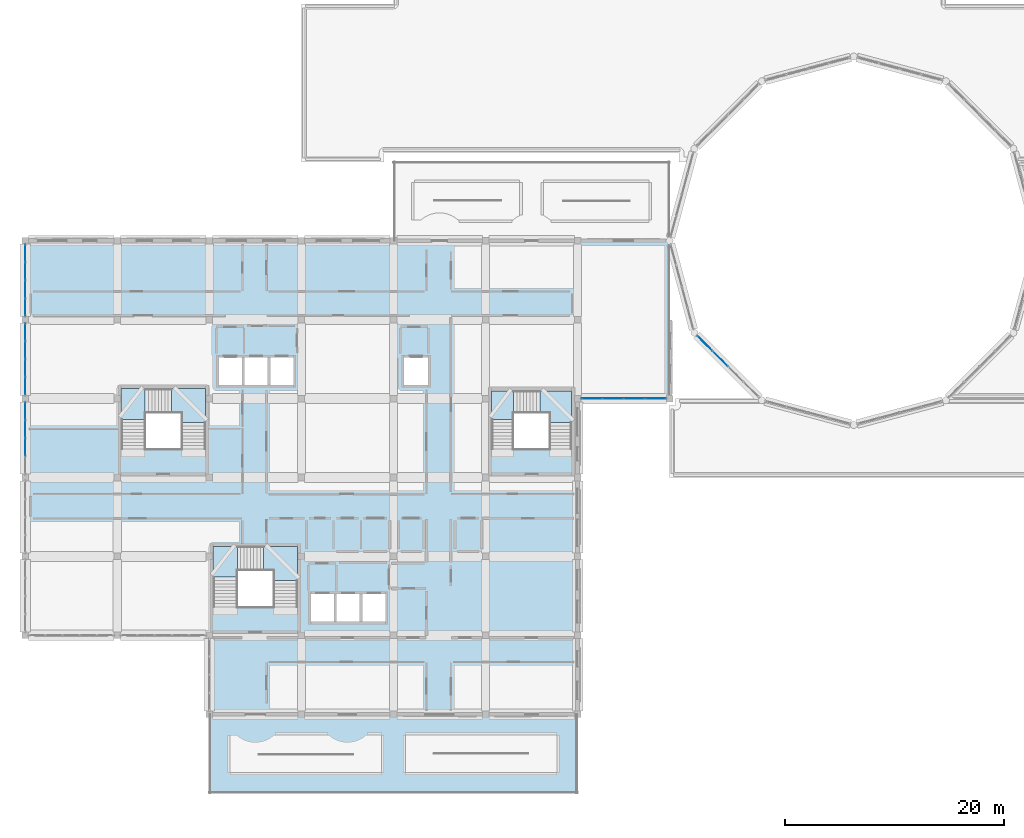
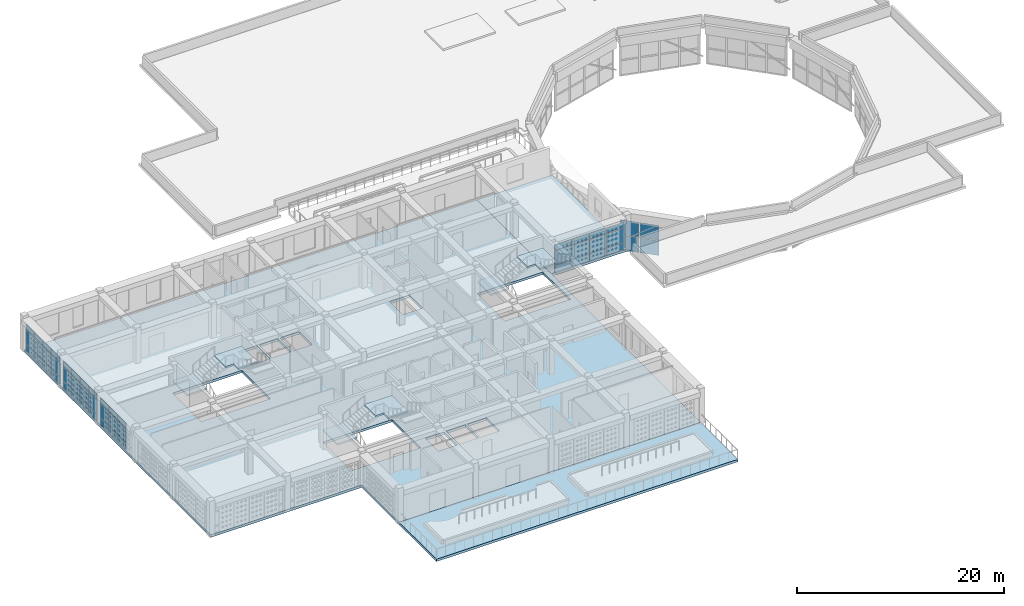
# One storey, part 25 of 48: 49 plates, 9 slabs, 8 elements without a shape of their own.
"""IFC4 building model written with IfcOpenShell, lengths in metres."""

from ifc_helpers import new_model, si_unit, derived_unit, direction, frame, origin, origin_2d, place, context, subcontext, project, spatial, polyline, rectangle, outline, extrude, material, layer, layer_set, type_object, element, aggregate, save


model = new_model("IFC4")

# Units and contexts
model_context = context("Model", 3, precision=1e-05, world=origin(), true_north=direction((0.0, 1.0)))
body_context = subcontext(model_context, "Body", "Model", "MODEL_VIEW")
ifc_project = project(units=[si_unit("LENGTHUNIT", "METRE"), si_unit("AREAUNIT", "SQUARE_METRE"), si_unit("VOLUMEUNIT", "CUBIC_METRE"), si_unit("PLANEANGLEUNIT", "RADIAN"), si_unit("MASSUNIT", "GRAM", prefix="KILO"), derived_unit("THERMALTRANSMITTANCEUNIT", [(si_unit("POWERUNIT", "WATT"), 1), (si_unit("LENGTHUNIT", "METRE"), -2), (si_unit("THERMODYNAMICTEMPERATUREUNIT", "KELVIN"), -1)])], contexts=[model_context])

# Site, building, storey
site_placement = place(None, origin())
site = spatial("IfcSite", under=ifc_project, at=site_placement, CompositionType="ELEMENT")
building_placement = place(site_placement, origin())
building = spatial("IfcBuilding", under=site, at=building_placement, Name="Veybourne Emporium", CompositionType="ELEMENT")
storey_placement = place(building_placement, frame((0.0, 0.0, 27.89990234375)))
storey = spatial("IfcBuildingStorey", under=building, at=storey_placement, Name="L06", CompositionType="ELEMENT", Elevation=27.89990234375)

# Curtain wall, plates
ifc_material_1 = material(Name="Patinated Architectural Bronze", Category="bronze")
curtain_wall_type_1 = type_object("IfcCurtainWallType", Name="CWSystem_CWS-12", PredefinedType="NOTDEFINED", material=ifc_material_1)
curtain_wall_1_placement = place(storey_placement, origin())
curtain_wall_1 = element("IfcCurtainWall", 1, at=curtain_wall_1_placement, inside=storey, type_object=curtain_wall_type_1, Name="L06 bronze glazed curtain wall CWS-12 (004)", PredefinedType="NOTDEFINED")
ifc_material_2 = material(Name="Low-E Triple Glazing", Category="glass")
ifc_layer_1 = layer(ifc_material_2, 0.028076171875)
ifc_layer_set_1 = layer_set([ifc_layer_1], Name="Low-E Triple Glazing")
plate_type = type_object("IfcPlateType", Name="CWPanel_CW-P1", PredefinedType="CURTAIN_PANEL", material=ifc_layer_set_1)
plate_1_placement = place(storey_placement, frame((0.0, 31.574951171875, 0.070068359375), z_axis=(0.0, 0.0, 1.0), x_axis=(0.0, 1.0, 0.0)))
plate_1 = element("IfcPlate", 2, at=plate_1_placement, type_object=plate_type, Name="CWS-12 panel 2.1", PredefinedType="CURTAIN_PANEL", context=body_context, shape_type="SweptSolid", body=[
    extrude(rectangle(XDim=1.580078125, YDim=0.028076171875, at=origin_2d()), origin(), (0.0, 0.0, 1.0), 0.794921875),
])
plate_2_placement = place(storey_placement, frame((0.0, 31.574951171875, 0.93505859375), z_axis=(0.0, 0.0, 1.0), x_axis=(0.0, 1.0, 0.0)))
plate_2 = element("IfcPlate", 3, at=plate_2_placement, type_object=plate_type, Name="CWS-12 panel 2.2", PredefinedType="CURTAIN_PANEL", context=body_context, shape_type="SweptSolid", body=[
    extrude(rectangle(XDim=1.580078125, YDim=0.028076171875, at=origin_2d()), origin(), (0.0, 0.0, 1.0), 1.639892578125),
])
plate_3_placement = place(storey_placement, frame((0.0, 31.574951171875, 2.64501953125), z_axis=(0.0, 0.0, 1.0), x_axis=(0.0, 1.0, 0.0)))
plate_3 = element("IfcPlate", 4, at=plate_3_placement, type_object=plate_type, Name="CWS-12 panel 2.3", PredefinedType="CURTAIN_PANEL", context=body_context, shape_type="SweptSolid", body=[
    extrude(rectangle(XDim=1.580078125, YDim=0.028076171875, at=origin_2d()), origin(), (0.0, 0.0, 1.0), 0.64501953125),
])
plate_4_placement = place(storey_placement, frame((0.0, 33.22509765625, 0.070068359375), z_axis=(0.0, 0.0, 1.0), x_axis=(0.0, 1.0, 0.0)))
plate_4 = element("IfcPlate", 5, at=plate_4_placement, type_object=plate_type, Name="CWS-12 panel 3.1", PredefinedType="CURTAIN_PANEL", context=body_context, shape_type="SweptSolid", body=[
    extrude(rectangle(XDim=1.580078125, YDim=0.028076171875, at=origin_2d()), origin(), (0.0, 0.0, 1.0), 0.794921875),
])
plate_5_placement = place(storey_placement, frame((0.0, 33.22509765625, 0.93505859375), z_axis=(0.0, 0.0, 1.0), x_axis=(0.0, 1.0, 0.0)))
plate_5 = element("IfcPlate", 6, at=plate_5_placement, type_object=plate_type, Name="CWS-12 panel 3.2", PredefinedType="CURTAIN_PANEL", context=body_context, shape_type="SweptSolid", body=[
    extrude(rectangle(XDim=1.580078125, YDim=0.028076171875, at=origin_2d()), origin(), (0.0, 0.0, 1.0), 1.639892578125),
])
plate_6_placement = place(storey_placement, frame((0.0, 33.22509765625, 2.64501953125), z_axis=(0.0, 0.0, 1.0), x_axis=(0.0, 1.0, 0.0)))
plate_6 = element("IfcPlate", 7, at=plate_6_placement, type_object=plate_type, Name="CWS-12 panel 3.3", PredefinedType="CURTAIN_PANEL", context=body_context, shape_type="SweptSolid", body=[
    extrude(rectangle(XDim=1.580078125, YDim=0.028076171875, at=origin_2d()), origin(), (0.0, 0.0, 1.0), 0.64501953125),
])
plate_7_placement = place(storey_placement, frame((0.0, 34.857421875, 0.070068359375), z_axis=(0.0, 0.0, 1.0), x_axis=(0.0, 1.0, 0.0)))
plate_7 = element("IfcPlate", 8, at=plate_7_placement, type_object=plate_type, Name="CWS-12 panel 4.1", PredefinedType="CURTAIN_PANEL", context=body_context, shape_type="SweptSolid", body=[
    extrude(rectangle(XDim=1.544921875, YDim=0.028076171875, at=origin_2d()), origin(), (0.0, 0.0, 1.0), 0.794921875),
])
plate_8_placement = place(storey_placement, frame((0.0, 34.857421875, 0.93505859375), z_axis=(0.0, 0.0, 1.0), x_axis=(0.0, 1.0, 0.0)))
plate_8 = element("IfcPlate", 9, at=plate_8_placement, type_object=plate_type, Name="CWS-12 panel 4.2", PredefinedType="CURTAIN_PANEL", context=body_context, shape_type="SweptSolid", body=[
    extrude(rectangle(XDim=1.544921875, YDim=0.028076171875, at=origin_2d()), origin(), (0.0, 0.0, 1.0), 1.639892578125),
])
plate_9_placement = place(storey_placement, frame((0.0, 34.857421875, 2.64501953125), z_axis=(0.0, 0.0, 1.0), x_axis=(0.0, 1.0, 0.0)))
plate_9 = element("IfcPlate", 10, at=plate_9_placement, type_object=plate_type, Name="CWS-12 panel 4.3", PredefinedType="CURTAIN_PANEL", context=body_context, shape_type="SweptSolid", body=[
    extrude(rectangle(XDim=1.544921875, YDim=0.028076171875, at=origin_2d()), origin(), (0.0, 0.0, 1.0), 0.64501953125),
])
aggregate(curtain_wall_1, [plate_1, plate_2, plate_3, plate_4, plate_5, plate_6, plate_7, plate_8, plate_9])

curtain_wall_type_2 = type_object("IfcCurtainWallType", Name="CWSystem_CWS-13", PredefinedType="NOTDEFINED", material=ifc_material_1)
curtain_wall_2_placement = place(storey_placement, origin())
curtain_wall_2 = element("IfcCurtainWall", 11, at=curtain_wall_2_placement, inside=storey, type_object=curtain_wall_type_2, Name="L06 bronze glazed curtain wall CWS-13 (005)", PredefinedType="NOTDEFINED")
plate_10_placement = place(storey_placement, frame((0.0, 37.14306640625, 0.072021484375), z_axis=(0.0, 0.0, 1.0), x_axis=(0.0, 1.0, 0.0)))
plate_10 = element("IfcPlate", 12, at=plate_10_placement, type_object=plate_type, Name="CWS-13 panel 1.1", PredefinedType="CURTAIN_PANEL", context=body_context, shape_type="SweptSolid", body=[
    extrude(rectangle(XDim=1.5419921875, YDim=0.028076171875, at=origin_2d()), origin(), (0.0, 0.0, 1.0), 0.7919921875),
])
plate_11_placement = place(storey_placement, frame((0.0, 37.14306640625, 0.93603515625), z_axis=(0.0, 0.0, 1.0), x_axis=(0.0, 1.0, 0.0)))
plate_11 = element("IfcPlate", 13, at=plate_11_placement, type_object=plate_type, Name="CWS-13 panel 1.2", PredefinedType="CURTAIN_PANEL", context=body_context, shape_type="SweptSolid", body=[
    extrude(rectangle(XDim=1.5419921875, YDim=0.028076171875, at=origin_2d()), origin(), (0.0, 0.0, 1.0), 1.637939453125),
])
plate_12_placement = place(storey_placement, frame((0.0, 37.14306640625, 2.64599609375), z_axis=(0.0, 0.0, 1.0), x_axis=(0.0, 1.0, 0.0)))
plate_12 = element("IfcPlate", 14, at=plate_12_placement, type_object=plate_type, Name="CWS-13 panel 1.3", PredefinedType="CURTAIN_PANEL", context=body_context, shape_type="SweptSolid", body=[
    extrude(rectangle(XDim=1.5419921875, YDim=0.028076171875, at=origin_2d()), origin(), (0.0, 0.0, 1.0), 0.64208984375),
])
plate_13_placement = place(storey_placement, frame((0.0, 38.77490234375, 0.072021484375), z_axis=(0.0, 0.0, 1.0), x_axis=(0.0, 1.0, 0.0)))
plate_13 = element("IfcPlate", 15, at=plate_13_placement, type_object=plate_type, Name="CWS-13 panel 2.1", PredefinedType="CURTAIN_PANEL", context=body_context, shape_type="SweptSolid", body=[
    extrude(rectangle(XDim=1.577880859375, YDim=0.028076171875, at=origin_2d()), origin(), (0.0, 0.0, 1.0), 0.7919921875),
])
plate_14_placement = place(storey_placement, frame((0.0, 38.77490234375, 0.93603515625), z_axis=(0.0, 0.0, 1.0), x_axis=(0.0, 1.0, 0.0)))
plate_14 = element("IfcPlate", 16, at=plate_14_placement, type_object=plate_type, Name="CWS-13 panel 2.2", PredefinedType="CURTAIN_PANEL", context=body_context, shape_type="SweptSolid", body=[
    extrude(rectangle(XDim=1.577880859375, YDim=0.028076171875, at=origin_2d()), origin(), (0.0, 0.0, 1.0), 1.637939453125),
])
plate_15_placement = place(storey_placement, frame((0.0, 38.77490234375, 2.64599609375), z_axis=(0.0, 0.0, 1.0), x_axis=(0.0, 1.0, 0.0)))
plate_15 = element("IfcPlate", 17, at=plate_15_placement, type_object=plate_type, Name="CWS-13 panel 2.3", PredefinedType="CURTAIN_PANEL", context=body_context, shape_type="SweptSolid", body=[
    extrude(rectangle(XDim=1.577880859375, YDim=0.028076171875, at=origin_2d()), origin(), (0.0, 0.0, 1.0), 0.64208984375),
])
plate_16_placement = place(storey_placement, frame((0.0, 40.425048828125, 0.072021484375), z_axis=(0.0, 0.0, 1.0), x_axis=(0.0, 1.0, 0.0)))
plate_16 = element("IfcPlate", 18, at=plate_16_placement, type_object=plate_type, Name="CWS-13 panel 3.1", PredefinedType="CURTAIN_PANEL", context=body_context, shape_type="SweptSolid", body=[
    extrude(rectangle(XDim=1.577880859375, YDim=0.028076171875, at=origin_2d()), origin(), (0.0, 0.0, 1.0), 0.7919921875),
])
plate_17_placement = place(storey_placement, frame((0.0, 40.425048828125, 0.93603515625), z_axis=(0.0, 0.0, 1.0), x_axis=(0.0, 1.0, 0.0)))
plate_17 = element("IfcPlate", 19, at=plate_17_placement, type_object=plate_type, Name="CWS-13 panel 3.2", PredefinedType="CURTAIN_PANEL", context=body_context, shape_type="SweptSolid", body=[
    extrude(rectangle(XDim=1.577880859375, YDim=0.028076171875, at=origin_2d()), origin(), (0.0, 0.0, 1.0), 1.637939453125),
])
plate_18_placement = place(storey_placement, frame((0.0, 40.425048828125, 2.64599609375), z_axis=(0.0, 0.0, 1.0), x_axis=(0.0, 1.0, 0.0)))
plate_18 = element("IfcPlate", 20, at=plate_18_placement, type_object=plate_type, Name="CWS-13 panel 3.3", PredefinedType="CURTAIN_PANEL", context=body_context, shape_type="SweptSolid", body=[
    extrude(rectangle(XDim=1.577880859375, YDim=0.028076171875, at=origin_2d()), origin(), (0.0, 0.0, 1.0), 0.64208984375),
])
plate_19_placement = place(storey_placement, frame((0.0, 42.056884765625, 0.072021484375), z_axis=(0.0, 0.0, 1.0), x_axis=(0.0, 1.0, 0.0)))
plate_19 = element("IfcPlate", 21, at=plate_19_placement, type_object=plate_type, Name="CWS-13 panel 4.1", PredefinedType="CURTAIN_PANEL", context=body_context, shape_type="SweptSolid", body=[
    extrude(rectangle(XDim=1.5419921875, YDim=0.028076171875, at=origin_2d()), origin(), (0.0, 0.0, 1.0), 0.7919921875),
])
plate_20_placement = place(storey_placement, frame((0.0, 42.056884765625, 0.93603515625), z_axis=(0.0, 0.0, 1.0), x_axis=(0.0, 1.0, 0.0)))
plate_20 = element("IfcPlate", 22, at=plate_20_placement, type_object=plate_type, Name="CWS-13 panel 4.2", PredefinedType="CURTAIN_PANEL", context=body_context, shape_type="SweptSolid", body=[
    extrude(rectangle(XDim=1.5419921875, YDim=0.028076171875, at=origin_2d()), origin(), (0.0, 0.0, 1.0), 1.637939453125),
])
plate_21_placement = place(storey_placement, frame((0.0, 42.056884765625, 2.64599609375), z_axis=(0.0, 0.0, 1.0), x_axis=(0.0, 1.0, 0.0)))
plate_21 = element("IfcPlate", 23, at=plate_21_placement, type_object=plate_type, Name="CWS-13 panel 4.3", PredefinedType="CURTAIN_PANEL", context=body_context, shape_type="SweptSolid", body=[
    extrude(rectangle(XDim=1.5419921875, YDim=0.028076171875, at=origin_2d()), origin(), (0.0, 0.0, 1.0), 0.64208984375),
])
aggregate(curtain_wall_2, [plate_10, plate_11, plate_12, plate_13, plate_14, plate_15, plate_16, plate_17, plate_18, plate_19, plate_20, plate_21])

curtain_wall_type_3 = type_object("IfcCurtainWallType", Name="CWSystem_CWS-14", PredefinedType="NOTDEFINED", material=ifc_material_1)
curtain_wall_3_placement = place(storey_placement, origin())
curtain_wall_3 = element("IfcCurtainWall", 24, at=curtain_wall_3_placement, inside=storey, type_object=curtain_wall_type_3, Name="L06 bronze glazed curtain wall CWS-14 (007)", PredefinedType="NOTDEFINED")
plate_22_placement = place(storey_placement, frame((0.0, 44.34375, 0.074951171875), z_axis=(0.0, 0.0, 1.0), x_axis=(0.0, 1.0, 0.0)))
plate_22 = element("IfcPlate", 25, at=plate_22_placement, type_object=plate_type, Name="CWS-14 panel 1.1", PredefinedType="CURTAIN_PANEL", context=body_context, shape_type="SweptSolid", body=[
    extrude(rectangle(XDim=1.53759765625, YDim=0.028076171875, at=origin_2d()), origin(), (0.0, 0.0, 1.0), 0.78759765625),
])
plate_23_placement = place(storey_placement, frame((0.0, 44.34375, 0.9375), z_axis=(0.0, 0.0, 1.0), x_axis=(0.0, 1.0, 0.0)))
plate_23 = element("IfcPlate", 26, at=plate_23_placement, type_object=plate_type, Name="CWS-14 panel 1.2", PredefinedType="CURTAIN_PANEL", context=body_context, shape_type="SweptSolid", body=[
    extrude(rectangle(XDim=1.53759765625, YDim=0.028076171875, at=origin_2d()), origin(), (0.0, 0.0, 1.0), 1.635009765625),
])
plate_24_placement = place(storey_placement, frame((0.0, 44.34375, 2.6474609375), z_axis=(0.0, 0.0, 1.0), x_axis=(0.0, 1.0, 0.0)))
plate_24 = element("IfcPlate", 27, at=plate_24_placement, type_object=plate_type, Name="CWS-14 panel 1.3", PredefinedType="CURTAIN_PANEL", context=body_context, shape_type="SweptSolid", body=[
    extrude(rectangle(XDim=1.53759765625, YDim=0.028076171875, at=origin_2d()), origin(), (0.0, 0.0, 1.0), 0.637451171875),
])
plate_25_placement = place(storey_placement, frame((0.0, 45.97509765625, 0.074951171875), z_axis=(0.0, 0.0, 1.0), x_axis=(0.0, 1.0, 0.0)))
plate_25 = element("IfcPlate", 28, at=plate_25_placement, type_object=plate_type, Name="CWS-14 panel 2.1", PredefinedType="CURTAIN_PANEL", context=body_context, shape_type="SweptSolid", body=[
    extrude(rectangle(XDim=1.574951171875, YDim=0.028076171875, at=origin_2d()), origin(), (0.0, 0.0, 1.0), 0.78759765625),
])
plate_26_placement = place(storey_placement, frame((0.0, 45.97509765625, 0.9375), z_axis=(0.0, 0.0, 1.0), x_axis=(0.0, 1.0, 0.0)))
plate_26 = element("IfcPlate", 29, at=plate_26_placement, type_object=plate_type, Name="CWS-14 panel 2.2", PredefinedType="CURTAIN_PANEL", context=body_context, shape_type="SweptSolid", body=[
    extrude(rectangle(XDim=1.574951171875, YDim=0.028076171875, at=origin_2d()), origin(), (0.0, 0.0, 1.0), 1.635009765625),
])
plate_27_placement = place(storey_placement, frame((0.0, 45.97509765625, 2.6474609375), z_axis=(0.0, 0.0, 1.0), x_axis=(0.0, 1.0, 0.0)))
plate_27 = element("IfcPlate", 30, at=plate_27_placement, type_object=plate_type, Name="CWS-14 panel 2.3", PredefinedType="CURTAIN_PANEL", context=body_context, shape_type="SweptSolid", body=[
    extrude(rectangle(XDim=1.574951171875, YDim=0.028076171875, at=origin_2d()), origin(), (0.0, 0.0, 1.0), 0.637451171875),
])
plate_28_placement = place(storey_placement, frame((0.0, 47.625, 0.074951171875), z_axis=(0.0, 0.0, 1.0), x_axis=(0.0, 1.0, 0.0)))
plate_28 = element("IfcPlate", 31, at=plate_28_placement, type_object=plate_type, Name="CWS-14 panel 3.1", PredefinedType="CURTAIN_PANEL", context=body_context, shape_type="SweptSolid", body=[
    extrude(rectangle(XDim=1.574951171875, YDim=0.028076171875, at=origin_2d()), origin(), (0.0, 0.0, 1.0), 0.78759765625),
])
plate_29_placement = place(storey_placement, frame((0.0, 47.625, 0.9375), z_axis=(0.0, 0.0, 1.0), x_axis=(0.0, 1.0, 0.0)))
plate_29 = element("IfcPlate", 32, at=plate_29_placement, type_object=plate_type, Name="CWS-14 panel 3.2", PredefinedType="CURTAIN_PANEL", context=body_context, shape_type="SweptSolid", body=[
    extrude(rectangle(XDim=1.574951171875, YDim=0.028076171875, at=origin_2d()), origin(), (0.0, 0.0, 1.0), 1.635009765625),
])
plate_30_placement = place(storey_placement, frame((0.0, 47.625, 2.6474609375), z_axis=(0.0, 0.0, 1.0), x_axis=(0.0, 1.0, 0.0)))
plate_30 = element("IfcPlate", 33, at=plate_30_placement, type_object=plate_type, Name="CWS-14 panel 3.3", PredefinedType="CURTAIN_PANEL", context=body_context, shape_type="SweptSolid", body=[
    extrude(rectangle(XDim=1.574951171875, YDim=0.028076171875, at=origin_2d()), origin(), (0.0, 0.0, 1.0), 0.637451171875),
])
plate_31_placement = place(storey_placement, frame((0.0, 49.25634765625, 0.074951171875), z_axis=(0.0, 0.0, 1.0), x_axis=(0.0, 1.0, 0.0)))
plate_31 = element("IfcPlate", 34, at=plate_31_placement, type_object=plate_type, Name="CWS-14 panel 4.1", PredefinedType="CURTAIN_PANEL", context=body_context, shape_type="SweptSolid", body=[
    extrude(rectangle(XDim=1.53759765625, YDim=0.028076171875, at=origin_2d()), origin(), (0.0, 0.0, 1.0), 0.78759765625),
])
plate_32_placement = place(storey_placement, frame((0.0, 49.25634765625, 0.9375), z_axis=(0.0, 0.0, 1.0), x_axis=(0.0, 1.0, 0.0)))
plate_32 = element("IfcPlate", 35, at=plate_32_placement, type_object=plate_type, Name="CWS-14 panel 4.2", PredefinedType="CURTAIN_PANEL", context=body_context, shape_type="SweptSolid", body=[
    extrude(rectangle(XDim=1.53759765625, YDim=0.028076171875, at=origin_2d()), origin(), (0.0, 0.0, 1.0), 1.635009765625),
])
plate_33_placement = place(storey_placement, frame((0.0, 49.25634765625, 2.6474609375), z_axis=(0.0, 0.0, 1.0), x_axis=(0.0, 1.0, 0.0)))
plate_33 = element("IfcPlate", 36, at=plate_33_placement, type_object=plate_type, Name="CWS-14 panel 4.3", PredefinedType="CURTAIN_PANEL", context=body_context, shape_type="SweptSolid", body=[
    extrude(rectangle(XDim=1.53759765625, YDim=0.028076171875, at=origin_2d()), origin(), (0.0, 0.0, 1.0), 0.637451171875),
])
aggregate(curtain_wall_3, [plate_22, plate_23, plate_24, plate_25, plate_26, plate_27, plate_28, plate_29, plate_30, plate_31, plate_32, plate_33])

curtain_wall_type_4 = type_object("IfcCurtainWallType", Name="CWSystem_CWS-17", PredefinedType="NOTDEFINED", material=ifc_material_1)
curtain_wall_4_placement = place(storey_placement, origin())
curtain_wall_4 = element("IfcCurtainWall", 37, at=curtain_wall_4_placement, inside=storey, type_object=curtain_wall_type_4, Name="L06 bronze glazed curtain wall CWS-17 (023)", PredefinedType="NOTDEFINED")
plate_34_placement = place(storey_placement, frame((57.507080078125, 36.0, 0.072021484375), z_axis=(0.0, 0.0, 1.0), x_axis=(-1.0, 0.0, 0.0)))
plate_34 = element("IfcPlate", 38, at=plate_34_placement, type_object=plate_type, Name="CWS-17 panel 1.1", PredefinedType="CURTAIN_PANEL", context=body_context, shape_type="SweptSolid", body=[
    extrude(rectangle(XDim=1.842041015625, YDim=0.028076171875, at=origin_2d()), origin(), (0.0, 0.0, 1.0), 0.7919921875),
])
plate_35_placement = place(storey_placement, frame((57.507080078125, 36.0, 0.93603515625), z_axis=(0.0, 0.0, 1.0), x_axis=(-1.0, 0.0, 0.0)))
plate_35 = element("IfcPlate", 39, at=plate_35_placement, type_object=plate_type, Name="CWS-17 panel 1.2", PredefinedType="CURTAIN_PANEL", context=body_context, shape_type="SweptSolid", body=[
    extrude(rectangle(XDim=1.842041015625, YDim=0.028076171875, at=origin_2d()), origin(), (0.0, 0.0, 1.0), 1.637939453125),
])
plate_36_placement = place(storey_placement, frame((57.507080078125, 36.0, 2.64599609375), z_axis=(0.0, 0.0, 1.0), x_axis=(-1.0, 0.0, 0.0)))
plate_36 = element("IfcPlate", 40, at=plate_36_placement, type_object=plate_type, Name="CWS-17 panel 1.3", PredefinedType="CURTAIN_PANEL", context=body_context, shape_type="SweptSolid", body=[
    extrude(rectangle(XDim=1.842041015625, YDim=0.028076171875, at=origin_2d()), origin(), (0.0, 0.0, 1.0), 0.64208984375),
])
plate_37_placement = place(storey_placement, frame((55.574951171875, 36.0, 0.072021484375), z_axis=(0.0, 0.0, 1.0), x_axis=(-1.0, 0.0, 0.0)))
plate_37 = element("IfcPlate", 41, at=plate_37_placement, type_object=plate_type, Name="CWS-17 panel 2.1", PredefinedType="CURTAIN_PANEL", context=body_context, shape_type="SweptSolid", body=[
    extrude(rectangle(XDim=1.8779296875, YDim=0.028076171875, at=origin_2d()), origin(), (0.0, 0.0, 1.0), 0.7919921875),
])
plate_38_placement = place(storey_placement, frame((55.574951171875, 36.0, 0.93603515625), z_axis=(0.0, 0.0, 1.0), x_axis=(-1.0, 0.0, 0.0)))
plate_38 = element("IfcPlate", 42, at=plate_38_placement, type_object=plate_type, Name="CWS-17 panel 2.2", PredefinedType="CURTAIN_PANEL", context=body_context, shape_type="SweptSolid", body=[
    extrude(rectangle(XDim=1.8779296875, YDim=0.028076171875, at=origin_2d()), origin(), (0.0, 0.0, 1.0), 1.637939453125),
])
plate_39_placement = place(storey_placement, frame((55.574951171875, 36.0, 2.64599609375), z_axis=(0.0, 0.0, 1.0), x_axis=(-1.0, 0.0, 0.0)))
plate_39 = element("IfcPlate", 43, at=plate_39_placement, type_object=plate_type, Name="CWS-17 panel 2.3", PredefinedType="CURTAIN_PANEL", context=body_context, shape_type="SweptSolid", body=[
    extrude(rectangle(XDim=1.8779296875, YDim=0.028076171875, at=origin_2d()), origin(), (0.0, 0.0, 1.0), 0.64208984375),
])
plate_40_placement = place(storey_placement, frame((53.625, 36.0, 0.072021484375), z_axis=(0.0, 0.0, 1.0), x_axis=(-1.0, 0.0, 0.0)))
plate_40 = element("IfcPlate", 44, at=plate_40_placement, type_object=plate_type, Name="CWS-17 panel 3.1", PredefinedType="CURTAIN_PANEL", context=body_context, shape_type="SweptSolid", body=[
    extrude(rectangle(XDim=1.8779296875, YDim=0.028076171875, at=origin_2d()), origin(), (0.0, 0.0, 1.0), 0.7919921875),
])
plate_41_placement = place(storey_placement, frame((53.625, 36.0, 0.93603515625), z_axis=(0.0, 0.0, 1.0), x_axis=(-1.0, 0.0, 0.0)))
plate_41 = element("IfcPlate", 45, at=plate_41_placement, type_object=plate_type, Name="CWS-17 panel 3.2", PredefinedType="CURTAIN_PANEL", context=body_context, shape_type="SweptSolid", body=[
    extrude(rectangle(XDim=1.8779296875, YDim=0.028076171875, at=origin_2d()), origin(), (0.0, 0.0, 1.0), 1.637939453125),
])
plate_42_placement = place(storey_placement, frame((53.625, 36.0, 2.64599609375), z_axis=(0.0, 0.0, 1.0), x_axis=(-1.0, 0.0, 0.0)))
plate_42 = element("IfcPlate", 46, at=plate_42_placement, type_object=plate_type, Name="CWS-17 panel 3.3", PredefinedType="CURTAIN_PANEL", context=body_context, shape_type="SweptSolid", body=[
    extrude(rectangle(XDim=1.8779296875, YDim=0.028076171875, at=origin_2d()), origin(), (0.0, 0.0, 1.0), 0.64208984375),
])
plate_43_placement = place(storey_placement, frame((51.693115234375, 36.0, 0.072021484375), z_axis=(0.0, 0.0, 1.0), x_axis=(-1.0, 0.0, 0.0)))
plate_43 = element("IfcPlate", 47, at=plate_43_placement, type_object=plate_type, Name="CWS-17 panel 4.1", PredefinedType="CURTAIN_PANEL", context=body_context, shape_type="SweptSolid", body=[
    extrude(rectangle(XDim=1.842041015625, YDim=0.028076171875, at=origin_2d()), origin(), (0.0, 0.0, 1.0), 0.7919921875),
])
plate_44_placement = place(storey_placement, frame((51.693115234375, 36.0, 0.93603515625), z_axis=(0.0, 0.0, 1.0), x_axis=(-1.0, 0.0, 0.0)))
plate_44 = element("IfcPlate", 48, at=plate_44_placement, type_object=plate_type, Name="CWS-17 panel 4.2", PredefinedType="CURTAIN_PANEL", context=body_context, shape_type="SweptSolid", body=[
    extrude(rectangle(XDim=1.842041015625, YDim=0.028076171875, at=origin_2d()), origin(), (0.0, 0.0, 1.0), 1.637939453125),
])
plate_45_placement = place(storey_placement, frame((51.693115234375, 36.0, 2.64599609375), z_axis=(0.0, 0.0, 1.0), x_axis=(-1.0, 0.0, 0.0)))
plate_45 = element("IfcPlate", 49, at=plate_45_placement, type_object=plate_type, Name="CWS-17 panel 4.3", PredefinedType="CURTAIN_PANEL", context=body_context, shape_type="SweptSolid", body=[
    extrude(rectangle(XDim=1.842041015625, YDim=0.028076171875, at=origin_2d()), origin(), (0.0, 0.0, 1.0), 0.64208984375),
])
aggregate(curtain_wall_4, [plate_34, plate_35, plate_36, plate_37, plate_38, plate_39, plate_40, plate_41, plate_42, plate_43, plate_44, plate_45])

curtain_wall_type_5 = type_object("IfcCurtainWallType", Name="CWSystem_CWS-28", PredefinedType="NOTDEFINED", material=ifc_material_1)
curtain_wall_5_placement = place(storey_placement, origin())
curtain_wall_5 = element("IfcCurtainWall", 50, at=curtain_wall_5_placement, inside=storey, type_object=curtain_wall_type_5, Name="Atrium drum clerestory curtain wall 08", PredefinedType="NOTDEFINED")
plate_46_placement = place(storey_placement, frame((62.022705078125, 41.028076171875, -4.43017578125), z_axis=(0.0, 0.0, 1.0), x_axis=(0.707106781187, -0.707106781187, 0.0)))
plate_46 = element("IfcPlate", 51, at=plate_46_placement, type_object=plate_type, Name="CWS-28 panel 1.1", PredefinedType="CURTAIN_PANEL", context=body_context, shape_type="SweptSolid", body=[
    extrude(rectangle(XDim=1.88916015625, YDim=0.028076171875, at=origin_2d()), origin(), (0.0, 0.0, 1.0), 1.735107421875),
])
plate_47_placement = place(storey_placement, frame((62.022705078125, 41.028076171875, -2.625), z_axis=(0.0, 0.0, 1.0), x_axis=(0.707106781187, -0.707106781187, 0.0)))
plate_47 = element("IfcPlate", 52, at=plate_47_placement, type_object=plate_type, Name="CWS-28 panel 1.2", PredefinedType="CURTAIN_PANEL", context=body_context, shape_type="SweptSolid", body=[
    extrude(rectangle(XDim=1.88916015625, YDim=0.028076171875, at=origin_2d()), origin(), (0.0, 0.0, 1.0), 1.735107421875),
])
plate_48_placement = place(storey_placement, frame((63.42041015625, 39.63037109375, -4.43017578125), z_axis=(0.0, 0.0, 1.0), x_axis=(0.707106781187, -0.707106781187, 0.0)))
plate_48 = element("IfcPlate", 53, at=plate_48_placement, type_object=plate_type, Name="CWS-28 panel 2.1", PredefinedType="CURTAIN_PANEL", context=body_context, shape_type="SweptSolid", body=[
    extrude(rectangle(XDim=1.924072265625, YDim=0.028076171875, at=origin_2d()), origin(), (0.0, 0.0, 1.0), 1.735107421875),
])
plate_49_placement = place(storey_placement, frame((63.42041015625, 39.63037109375, -2.625), z_axis=(0.0, 0.0, 1.0), x_axis=(0.707106781187, -0.707106781187, 0.0)))
plate_49 = element("IfcPlate", 54, at=plate_49_placement, type_object=plate_type, Name="CWS-28 panel 2.2", PredefinedType="CURTAIN_PANEL", context=body_context, shape_type="SweptSolid", body=[
    extrude(rectangle(XDim=1.924072265625, YDim=0.028076171875, at=origin_2d()), origin(), (0.0, 0.0, 1.0), 1.735107421875),
])
aggregate(curtain_wall_5, [plate_46, plate_47, plate_48, plate_49])

# Stair, slabs
ifc_material_3 = material(Name="Concrete C32/40", Category="concrete")
stair_type_1 = type_object("IfcStairType", Name="Stair_ST-01-R28", PredefinedType="TWO_QUARTER_TURN_STAIR", material=ifc_material_3)
stair_1_placement = place(storey_placement, origin())
stair_1 = element("IfcStair", 55, at=stair_1_placement, inside=storey, type_object=stair_type_1, Name="L06 stair ST-01", PredefinedType="TWO_QUARTER_TURN_STAIR")
ifc_layer_2 = layer(ifc_material_3, 0.199951171875)
ifc_layer_set_2 = layer_set([ifc_layer_2], Name="Concrete C32/40")
slab_type_1 = type_object("IfcSlabType", Name="Landing_LDG-01", PredefinedType="LANDING", material=ifc_layer_set_2)
slab_1_placement = place(storey_placement, frame((0.0, 0.0, 1.300048828125)))
slab_1 = element("IfcSlab", 56, at=slab_1_placement, type_object=slab_type_1, Name="ST-01-R28 landing 1", PredefinedType="LANDING", context=body_context, shape_type="SweptSolid", body=[
    extrude(outline(polyline([(17.14990234375, 19.699951171875), (19.35009765625, 19.699951171875), (19.35009765625, 22.5), (17.14990234375, 22.5), (17.14990234375, 19.699951171875)])), origin(), (0.0, 0.0, 1.0), 0.199951171875),
])
slab_2_placement = place(storey_placement, frame((0.0, 0.0, 2.650146484375)))
slab_2 = element("IfcSlab", 57, at=slab_2_placement, type_object=slab_type_1, Name="ST-01-R28 landing 2", PredefinedType="LANDING", context=body_context, shape_type="SweptSolid", body=[
    extrude(outline(polyline([(21.75, 20.300048828125), (22.64990234375, 20.300048828125), (22.64990234375, 19.39990234375), (24.85009765625, 19.39990234375), (24.85009765625, 22.5), (21.75, 22.5), (21.75, 20.300048828125)])), origin(), (0.0, 0.0, 1.0), 0.199951171875),
])
aggregate(stair_1, [slab_1, slab_2])

stair_type_2 = type_object("IfcStairType", Name="Stair_ST-02-R28", PredefinedType="TWO_QUARTER_TURN_STAIR", material=ifc_material_3)
stair_2_placement = place(storey_placement, origin())
stair_2 = element("IfcStair", 58, at=stair_2_placement, inside=storey, type_object=stair_type_2, Name="L06 stair ST-02", PredefinedType="TWO_QUARTER_TURN_STAIR")
slab_3_placement = place(storey_placement, frame((0.0, 0.0, 1.300048828125)))
slab_3 = element("IfcSlab", 59, at=slab_3_placement, type_object=slab_type_1, Name="ST-02-R28 landing 1", PredefinedType="LANDING", context=body_context, shape_type="SweptSolid", body=[
    extrude(outline(polyline([(8.75, 34.10009765625), (10.949951171875, 34.10009765625), (10.949951171875, 36.89990234375), (8.75, 36.89990234375), (8.75, 34.10009765625)])), origin(), (0.0, 0.0, 1.0), 0.199951171875),
])
slab_4_placement = place(storey_placement, frame((0.0, 0.0, 2.650146484375)))
slab_4 = element("IfcSlab", 60, at=slab_4_placement, type_object=slab_type_1, Name="ST-02-R28 landing 2", PredefinedType="LANDING", context=body_context, shape_type="SweptSolid", body=[
    extrude(outline(polyline([(13.35009765625, 34.699951171875), (14.25, 34.699951171875), (14.25, 33.800048828125), (16.449951171875, 33.800048828125), (16.449951171875, 36.89990234375), (13.35009765625, 36.89990234375), (13.35009765625, 34.699951171875)])), origin(), (0.0, 0.0, 1.0), 0.199951171875),
])
aggregate(stair_2, [slab_3, slab_4])

stair_type_3 = type_object("IfcStairType", Name="Stair_ST-05-R28", PredefinedType="TWO_QUARTER_TURN_STAIR", material=ifc_material_3)
stair_3_placement = place(storey_placement, origin())
stair_3 = element("IfcStair", 61, at=stair_3_placement, inside=storey, type_object=stair_type_3, Name="L06 stair ST-05", PredefinedType="TWO_QUARTER_TURN_STAIR")
slab_5_placement = place(storey_placement, frame((0.0, 0.0, 1.300048828125)))
slab_5 = element("IfcSlab", 62, at=slab_5_placement, type_object=slab_type_1, Name="ST-05-R28 landing 1", PredefinedType="LANDING", context=body_context, shape_type="SweptSolid", body=[
    extrude(outline(polyline([(42.550048828125, 34.10009765625), (44.550048828125, 34.10009765625), (44.550048828125, 36.699951171875), (42.550048828125, 36.699951171875), (42.550048828125, 34.10009765625)])), origin(), (0.0, 0.0, 1.0), 0.199951171875),
])
slab_6_placement = place(storey_placement, frame((0.0, 0.0, 2.650146484375)))
slab_6 = element("IfcSlab", 63, at=slab_6_placement, type_object=slab_type_1, Name="ST-05-R28 landing 2", PredefinedType="LANDING", context=body_context, shape_type="SweptSolid", body=[
    extrude(outline(polyline([(46.949951171875, 34.699951171875), (47.85009765625, 34.699951171875), (47.85009765625, 33.800048828125), (49.85009765625, 33.800048828125), (49.85009765625, 36.699951171875), (46.949951171875, 36.699951171875), (46.949951171875, 34.699951171875)])), origin(), (0.0, 0.0, 1.0), 0.199951171875),
])
aggregate(stair_3, [slab_5, slab_6])

# Slabs
ifc_layer_3 = layer(ifc_material_3, 0.2900390625)
ifc_layer_set_3 = layer_set([ifc_layer_3], Name="Concrete C32/40")
slab_type_2 = type_object("IfcSlabType", Name="Slab_FS-03", PredefinedType="FLOOR", material=ifc_layer_set_3)
slab_7_placement = place(storey_placement, frame((0.0, 0.0, -0.289794921875)))
element("IfcSlab", 64, at=slab_7_placement, inside=storey, type_object=slab_type_2, Name="L06 floor slab FS-03 (V1.1)", PredefinedType="FLOOR", context=body_context, shape_type="SweptSolid", body=[
    extrude(outline(polyline([(0.0, 21.60009765625), (0.0, 28.800048828125), (0.0, 36.0), (0.0, 43.199951171875), (0.0, 50.39990234375), (8.39990234375, 50.39990234375), (16.800048828125, 50.39990234375), (25.199951171875, 50.39990234375), (33.60009765625, 50.39990234375), (42.0, 50.39990234375), (50.39990234375, 50.39990234375), (50.39990234375, 43.199951171875), (50.39990234375, 36.0), (50.39990234375, 28.800048828125), (50.39990234375, 21.60009765625), (50.39990234375, 14.39990234375), (50.39990234375, 7.199951171875), (42.0, 7.199951171875), (33.60009765625, 7.199951171875), (25.199951171875, 7.199951171875), (16.800048828125, 7.199951171875), (16.800048828125, 14.39990234375), (8.39990234375, 14.39990234375), (0.0, 14.39990234375), (0.0, 21.60009765625)]), holes=[polyline([(28.159912109375, 18.14990234375), (26.06005859375, 18.14990234375), (26.06005859375, 15.64990234375), (28.159912109375, 15.64990234375), (28.159912109375, 18.14990234375)]), polyline([(30.52001953125, 18.14990234375), (28.39990234375, 18.14990234375), (28.39990234375, 15.64990234375), (30.52001953125, 15.64990234375), (30.52001953125, 18.14990234375)]), polyline([(32.8798828125, 18.14990234375), (30.760009765625, 18.14990234375), (30.760009765625, 15.64990234375), (32.8798828125, 15.64990234375), (32.8798828125, 18.14990234375)]), polyline([(24.85009765625, 17.0), (24.85009765625, 22.5), (17.14990234375, 22.5), (17.14990234375, 17.0), (24.85009765625, 17.0)]), polyline([(49.85009765625, 31.39990234375), (49.85009765625, 36.699951171875), (42.550048828125, 36.699951171875), (42.550048828125, 31.39990234375), (49.85009765625, 31.39990234375)]), polyline([(16.449951171875, 36.89990234375), (8.75, 36.89990234375), (8.75, 31.39990234375), (16.449951171875, 31.39990234375), (16.449951171875, 36.89990234375)]), polyline([(19.760009765625, 39.75), (17.659912109375, 39.75), (17.659912109375, 37.25), (19.760009765625, 37.25), (19.760009765625, 39.75)]), polyline([(22.1201171875, 39.75), (20.0, 39.75), (20.0, 37.25), (22.1201171875, 37.25), (22.1201171875, 39.75)]), polyline([(24.47998046875, 37.25), (24.47998046875, 39.75), (22.360107421875, 39.75), (22.360107421875, 37.25), (24.47998046875, 37.25)]), polyline([(36.760009765625, 37.25), (36.760009765625, 39.75), (34.56005859375, 39.75), (34.56005859375, 37.25), (36.760009765625, 37.25)])]), origin(), (0.0, 0.0, 1.0), 0.289794921875),
])
slab_8_placement = place(storey_placement, frame((0.0, 0.0, -0.289794921875)))
element("IfcSlab", 65, at=slab_8_placement, inside=storey, type_object=slab_type_2, Name="L06 floor slab FS-03 (V2.1)", PredefinedType="FLOOR", context=body_context, shape_type="SweptSolid", body=[
    extrude(outline(polyline([(50.39990234375, 36.0), (50.39990234375, 43.199951171875), (50.39990234375, 50.39990234375), (58.800048828125, 50.39990234375), (58.800048828125, 43.199951171875), (58.800048828125, 36.0), (50.39990234375, 36.0)])), origin(), (0.0, 0.0, 1.0), 0.289794921875),
])
ifc_layer_4 = layer(ifc_material_3, 0.2900390625)
ifc_layer_set_4 = layer_set([ifc_layer_4], Name="Concrete C32/40")
slab_type_3 = type_object("IfcSlabType", Name="Slab_TS-02", PredefinedType="FLOOR", material=ifc_layer_set_4)
slab_9_placement = place(storey_placement, frame((0.0, 0.0, -0.289794921875)))
element("IfcSlab", 66, at=slab_9_placement, inside=storey, type_object=slab_type_3, Name="L06 planted roof garden terrace slab 1", PredefinedType="FLOOR", context=body_context, shape_type="SweptSolid", body=[
    extrude(outline(polyline([(25.199951171875, 7.199951171875), (33.60009765625, 7.199951171875), (42.0, 7.199951171875), (50.39990234375, 7.199951171875), (50.39990234375, 0.0), (42.0, 0.0), (33.60009765625, 0.0), (25.199951171875, 0.0), (16.800048828125, 0.0), (16.800048828125, 7.199951171875), (25.199951171875, 7.199951171875)])), origin(), (0.0, 0.0, 1.0), 0.289794921875),
])

save(model, "model.ifc")
